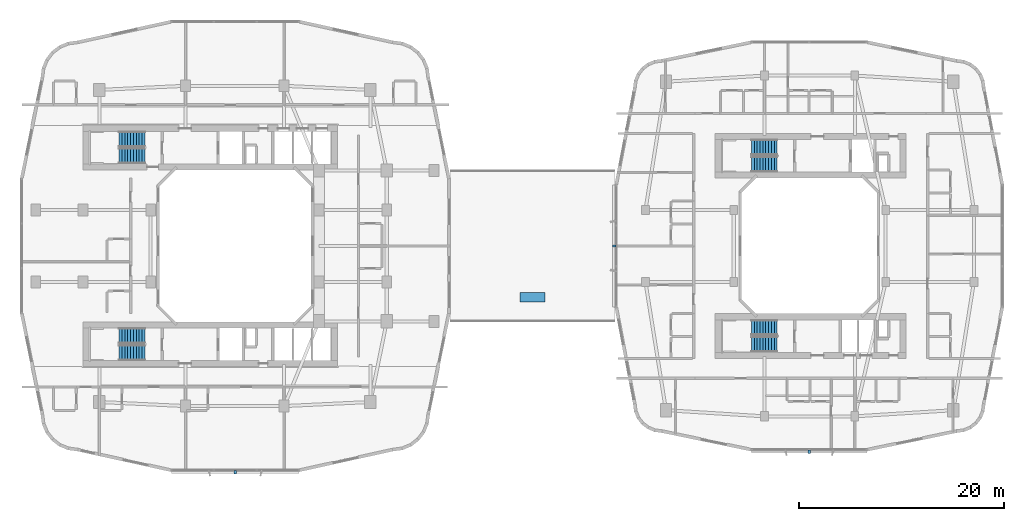
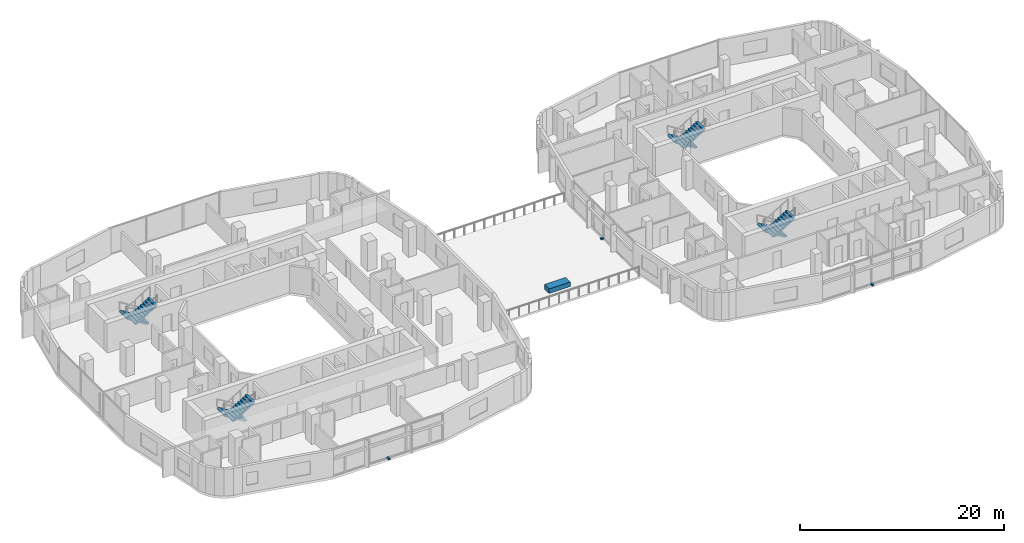
# One storey, part 20 of 25: 8 stair flights, 4 discrete accessories, 4 elements without a shape of their own.
"""IFC4 building model written with IfcOpenShell, lengths in metres."""

from ifc_helpers import new_model, si_unit, derived_unit, direction, frame, origin, origin_2d, place, context, subcontext, project, spatial, polyline, rectangle, outline, extrude, material, type_object, element, aggregate, save


model = new_model("IFC4")

# Units and contexts
model_context = context("Model", 3, precision=1e-05, world=origin(), true_north=direction((0.0, 1.0)))
body_context = subcontext(model_context, "Body", "Model", "MODEL_VIEW")
ifc_project = project(units=[si_unit("LENGTHUNIT", "METRE"), si_unit("AREAUNIT", "SQUARE_METRE"), si_unit("VOLUMEUNIT", "CUBIC_METRE"), si_unit("PLANEANGLEUNIT", "RADIAN"), si_unit("MASSUNIT", "GRAM", prefix="KILO"), derived_unit("THERMALTRANSMITTANCEUNIT", [(si_unit("POWERUNIT", "WATT"), 1), (si_unit("LENGTHUNIT", "METRE"), -2), (si_unit("THERMODYNAMICTEMPERATUREUNIT", "KELVIN"), -1)])], contexts=[model_context])

# Site, building, storey
site_placement = place(None, origin())
site = spatial("IfcSite", under=ifc_project, at=site_placement, CompositionType="ELEMENT")
building_placement = place(site_placement, origin())
building = spatial("IfcBuilding", under=site, at=building_placement, Name="Kivonza Crest Hotel", CompositionType="ELEMENT")
storey_placement = place(building_placement, frame((0.0, 0.0, 24.0)))
storey = spatial("IfcBuildingStorey", under=building, at=storey_placement, Name="L05", CompositionType="ELEMENT", Elevation=24.0)

# Stair, stair flights
ifc_material_1 = material(Name="Concrete C40/50", Category="concrete")
stair_type = type_object("IfcStairType", Name="ST-DL-20R", PredefinedType="HALF_TURN_STAIR", material=ifc_material_1)
stair_1_placement = place(storey_placement, origin())
stair_1 = element("IfcStair", 1, at=stair_1_placement, inside=storey, type_object=stair_type, Name="L05 Protected Exit Stair ST-T1-N", PredefinedType="HALF_TURN_STAIR")
stair_flight_type = type_object("IfcStairFlightType", Name="SFL-RC-10R", PredefinedType="STRAIGHT", material=ifc_material_1)
stair_flight_1_placement = place(storey_placement, frame((12.239990234375, 35.409912109375, 0.0), z_axis=(0.0, 0.0, 1.0), x_axis=(-1.0, 0.0, 0.0)))
stair_flight_1 = element("IfcStairFlight", 2, at=stair_flight_1_placement, type_object=stair_flight_type, Name="ST-T1-N flight 1", NumberOfRisers=10, NumberOfTreads=9, PredefinedType="STRAIGHT", RiserHeight=0.175, TreadLength=0.28, context=body_context, shape_type="SweptSolid", body=[
    extrude(outline(polyline([(0.0, 0.0), (0.0, 0.175048828125), (0.280029296875, 0.175048828125), (0.280029296875, 0.35009765625), (0.56005859375, 0.35009765625), (0.56005859375, 0.52490234375), (0.840087890625, 0.52490234375), (0.840087890625, 0.699951171875), (1.1201171875, 0.699951171875), (1.1201171875, 0.875), (1.39990234375, 0.875), (1.39990234375, 1.050048828125), (1.679931640625, 1.050048828125), (1.679931640625, 1.22509765625), (1.9599609375, 1.22509765625), (1.9599609375, 1.39990234375), (2.239990234375, 1.39990234375), (2.239990234375, 1.574951171875), (2.52001953125, 1.574951171875), (2.52001953125, 1.75), (2.52001953125, 1.398193359375), (0.28271484375, 0.0), (0.0, 0.0)])), frame((0.0, 0.75, 0.0), z_axis=(0.0, -1.0, 0.0), x_axis=(1.0, 0.0, 0.0)), (0.0, 0.0, 1.0), 1.5),
])
stair_flight_2_placement = place(storey_placement, frame((9.719970703125, 33.77001953125, 1.75), z_axis=(0.0, 0.0, 1.0), x_axis=(1.0, 0.0, 0.0)))
stair_flight_2 = element("IfcStairFlight", 3, at=stair_flight_2_placement, type_object=stair_flight_type, Name="ST-T1-N flight 2", NumberOfRisers=10, NumberOfTreads=9, PredefinedType="STRAIGHT", RiserHeight=0.175, TreadLength=0.28, context=body_context, shape_type="SweptSolid", body=[
    extrude(outline(polyline([(0.0, 0.0), (0.0, 0.175048828125), (0.280029296875, 0.175048828125), (0.280029296875, 0.35009765625), (0.56005859375, 0.35009765625), (0.56005859375, 0.52490234375), (0.840087890625, 0.52490234375), (0.840087890625, 0.699951171875), (1.1201171875, 0.699951171875), (1.1201171875, 0.875), (1.39990234375, 0.875), (1.39990234375, 1.050048828125), (1.679931640625, 1.050048828125), (1.679931640625, 1.22509765625), (1.9599609375, 1.22509765625), (1.9599609375, 1.39990234375), (2.239990234375, 1.39990234375), (2.239990234375, 1.574951171875), (2.52001953125, 1.574951171875), (2.52001953125, 1.75), (2.52001953125, 1.398193359375), (0.28271484375, 0.0), (0.0, 0.0)])), frame((0.0, 0.75, 0.0), z_axis=(0.0, -1.0, 0.0), x_axis=(1.0, 0.0, 0.0)), (0.0, 0.0, 1.0), 1.5),
])
aggregate(stair_1, [stair_flight_1, stair_flight_2])

stair_2_placement = place(storey_placement, origin())
stair_2 = element("IfcStair", 4, at=stair_2_placement, inside=storey, type_object=stair_type, Name="L05 Protected Exit Stair ST-T1-S", PredefinedType="HALF_TURN_STAIR")
stair_flight_3_placement = place(storey_placement, frame((12.239990234375, 16.25, 0.0), z_axis=(0.0, 0.0, 1.0), x_axis=(-1.0, 0.0, 0.0)))
stair_flight_3 = element("IfcStairFlight", 5, at=stair_flight_3_placement, type_object=stair_flight_type, Name="ST-T1-S flight 1", NumberOfRisers=10, NumberOfTreads=9, PredefinedType="STRAIGHT", RiserHeight=0.175, TreadLength=0.28, context=body_context, shape_type="SweptSolid", body=[
    extrude(outline(polyline([(0.0, 0.0), (0.0, 0.175048828125), (0.280029296875, 0.175048828125), (0.280029296875, 0.35009765625), (0.56005859375, 0.35009765625), (0.56005859375, 0.52490234375), (0.840087890625, 0.52490234375), (0.840087890625, 0.699951171875), (1.1201171875, 0.699951171875), (1.1201171875, 0.875), (1.39990234375, 0.875), (1.39990234375, 1.050048828125), (1.679931640625, 1.050048828125), (1.679931640625, 1.22509765625), (1.9599609375, 1.22509765625), (1.9599609375, 1.39990234375), (2.239990234375, 1.39990234375), (2.239990234375, 1.574951171875), (2.52001953125, 1.574951171875), (2.52001953125, 1.75), (2.52001953125, 1.398193359375), (0.28271484375, 0.0), (0.0, 0.0)])), frame((0.0, 0.75, 0.0), z_axis=(0.0, -1.0, 0.0), x_axis=(1.0, 0.0, 0.0)), (0.0, 0.0, 1.0), 1.5),
])
stair_flight_4_placement = place(storey_placement, frame((9.719970703125, 14.610107421875, 1.75), z_axis=(0.0, 0.0, 1.0), x_axis=(1.0, 0.0, 0.0)))
stair_flight_4 = element("IfcStairFlight", 6, at=stair_flight_4_placement, type_object=stair_flight_type, Name="ST-T1-S flight 2", NumberOfRisers=10, NumberOfTreads=9, PredefinedType="STRAIGHT", RiserHeight=0.175, TreadLength=0.28, context=body_context, shape_type="SweptSolid", body=[
    extrude(outline(polyline([(0.0, 0.0), (0.0, 0.175048828125), (0.280029296875, 0.175048828125), (0.280029296875, 0.35009765625), (0.56005859375, 0.35009765625), (0.56005859375, 0.52490234375), (0.840087890625, 0.52490234375), (0.840087890625, 0.699951171875), (1.1201171875, 0.699951171875), (1.1201171875, 0.875), (1.39990234375, 0.875), (1.39990234375, 1.050048828125), (1.679931640625, 1.050048828125), (1.679931640625, 1.22509765625), (1.9599609375, 1.22509765625), (1.9599609375, 1.39990234375), (2.239990234375, 1.39990234375), (2.239990234375, 1.574951171875), (2.52001953125, 1.574951171875), (2.52001953125, 1.75), (2.52001953125, 1.398193359375), (0.28271484375, 0.0), (0.0, 0.0)])), frame((0.0, 0.75, 0.0), z_axis=(0.0, -1.0, 0.0), x_axis=(1.0, 0.0, 0.0)), (0.0, 0.0, 1.0), 1.5),
])
aggregate(stair_2, [stair_flight_3, stair_flight_4])

stair_3_placement = place(storey_placement, origin())
stair_3 = element("IfcStair", 7, at=stair_3_placement, inside=storey, type_object=stair_type, Name="L05 Protected Exit Stair ST-T2-N", PredefinedType="HALF_TURN_STAIR")
stair_flight_5_placement = place(storey_placement, frame((73.840087890625, 34.610107421875, 0.0), z_axis=(0.0, 0.0, 1.0), x_axis=(-1.0, 0.0, 0.0)))
stair_flight_5 = element("IfcStairFlight", 8, at=stair_flight_5_placement, type_object=stair_flight_type, Name="ST-T2-N flight 1", NumberOfRisers=10, NumberOfTreads=9, PredefinedType="STRAIGHT", RiserHeight=0.175, TreadLength=0.28, context=body_context, shape_type="SweptSolid", body=[
    extrude(outline(polyline([(0.0, 0.0), (0.0, 0.175048828125), (0.280029296875, 0.175048828125), (0.280029296875, 0.35009765625), (0.56005859375, 0.35009765625), (0.56005859375, 0.52490234375), (0.840087890625, 0.52490234375), (0.840087890625, 0.699951171875), (1.1201171875, 0.699951171875), (1.1201171875, 0.875), (1.39990234375, 0.875), (1.39990234375, 1.050048828125), (1.679931640625, 1.050048828125), (1.679931640625, 1.22509765625), (1.9599609375, 1.22509765625), (1.9599609375, 1.39990234375), (2.239990234375, 1.39990234375), (2.239990234375, 1.574951171875), (2.52001953125, 1.574951171875), (2.52001953125, 1.75), (2.52001953125, 1.398193359375), (0.28271484375, 0.0), (0.0, 0.0)])), frame((0.0, 0.75, 0.0), z_axis=(0.0, -1.0, 0.0), x_axis=(1.0, 0.0, 0.0)), (0.0, 0.0, 1.0), 1.5),
])
stair_flight_6_placement = place(storey_placement, frame((71.320068359375, 32.969970703125, 1.75), z_axis=(0.0, 0.0, 1.0), x_axis=(1.0, 0.0, 0.0)))
stair_flight_6 = element("IfcStairFlight", 9, at=stair_flight_6_placement, type_object=stair_flight_type, Name="ST-T2-N flight 2", NumberOfRisers=10, NumberOfTreads=9, PredefinedType="STRAIGHT", RiserHeight=0.175, TreadLength=0.28, context=body_context, shape_type="SweptSolid", body=[
    extrude(outline(polyline([(0.0, 0.0), (0.0, 0.175048828125), (0.280029296875, 0.175048828125), (0.280029296875, 0.35009765625), (0.56005859375, 0.35009765625), (0.56005859375, 0.52490234375), (0.840087890625, 0.52490234375), (0.840087890625, 0.699951171875), (1.1201171875, 0.699951171875), (1.1201171875, 0.875), (1.39990234375, 0.875), (1.39990234375, 1.050048828125), (1.679931640625, 1.050048828125), (1.679931640625, 1.22509765625), (1.9599609375, 1.22509765625), (1.9599609375, 1.39990234375), (2.239990234375, 1.39990234375), (2.239990234375, 1.574951171875), (2.52001953125, 1.574951171875), (2.52001953125, 1.75), (2.52001953125, 1.398193359375), (0.28271484375, 0.0), (0.0, 0.0)])), frame((0.0, 0.75, 0.0), z_axis=(0.0, -1.0, 0.0), x_axis=(1.0, 0.0, 0.0)), (0.0, 0.0, 1.0), 1.5),
])
aggregate(stair_3, [stair_flight_5, stair_flight_6])

stair_4_placement = place(storey_placement, origin())
stair_4 = element("IfcStair", 10, at=stair_4_placement, inside=storey, type_object=stair_type, Name="L05 Protected Exit Stair ST-T2-S", PredefinedType="HALF_TURN_STAIR")
stair_flight_7_placement = place(storey_placement, frame((73.840087890625, 17.050048828125, 0.0), z_axis=(0.0, 0.0, 1.0), x_axis=(-1.0, 0.0, 0.0)))
stair_flight_7 = element("IfcStairFlight", 11, at=stair_flight_7_placement, type_object=stair_flight_type, Name="ST-T2-S flight 1", NumberOfRisers=10, NumberOfTreads=9, PredefinedType="STRAIGHT", RiserHeight=0.175, TreadLength=0.28, context=body_context, shape_type="SweptSolid", body=[
    extrude(outline(polyline([(0.0, 0.0), (0.0, 0.175048828125), (0.280029296875, 0.175048828125), (0.280029296875, 0.35009765625), (0.56005859375, 0.35009765625), (0.56005859375, 0.52490234375), (0.840087890625, 0.52490234375), (0.840087890625, 0.699951171875), (1.1201171875, 0.699951171875), (1.1201171875, 0.875), (1.39990234375, 0.875), (1.39990234375, 1.050048828125), (1.679931640625, 1.050048828125), (1.679931640625, 1.22509765625), (1.9599609375, 1.22509765625), (1.9599609375, 1.39990234375), (2.239990234375, 1.39990234375), (2.239990234375, 1.574951171875), (2.52001953125, 1.574951171875), (2.52001953125, 1.75), (2.52001953125, 1.398193359375), (0.28271484375, 0.0), (0.0, 0.0)])), frame((0.0, 0.75, 0.0), z_axis=(0.0, -1.0, 0.0), x_axis=(1.0, 0.0, 0.0)), (0.0, 0.0, 1.0), 1.5),
])
stair_flight_8_placement = place(storey_placement, frame((71.320068359375, 15.409912109375, 1.75), z_axis=(0.0, 0.0, 1.0), x_axis=(1.0, 0.0, 0.0)))
stair_flight_8 = element("IfcStairFlight", 12, at=stair_flight_8_placement, type_object=stair_flight_type, Name="ST-T2-S flight 2", NumberOfRisers=10, NumberOfTreads=9, PredefinedType="STRAIGHT", RiserHeight=0.175, TreadLength=0.28, context=body_context, shape_type="SweptSolid", body=[
    extrude(outline(polyline([(0.0, 0.0), (0.0, 0.175048828125), (0.280029296875, 0.175048828125), (0.280029296875, 0.35009765625), (0.56005859375, 0.35009765625), (0.56005859375, 0.52490234375), (0.840087890625, 0.52490234375), (0.840087890625, 0.699951171875), (1.1201171875, 0.699951171875), (1.1201171875, 0.875), (1.39990234375, 0.875), (1.39990234375, 1.050048828125), (1.679931640625, 1.050048828125), (1.679931640625, 1.22509765625), (1.9599609375, 1.22509765625), (1.9599609375, 1.39990234375), (2.239990234375, 1.39990234375), (2.239990234375, 1.574951171875), (2.52001953125, 1.574951171875), (2.52001953125, 1.75), (2.52001953125, 1.398193359375), (0.28271484375, 0.0), (0.0, 0.0)])), frame((0.0, 0.75, 0.0), z_axis=(0.0, -1.0, 0.0), x_axis=(1.0, 0.0, 0.0)), (0.0, 0.0, 1.0), 1.5),
])
aggregate(stair_4, [stair_flight_7, stair_flight_8])

# Discrete accessories
ifc_material_2 = material(Name="Stainless steel 316", Category="steel")
discrete_accessory_type_1 = type_object("IfcDiscreteAccessoryType", Name="AC-BRACKET-240", PredefinedType="BRACKET", material=ifc_material_2)
for number, where, z_axis, x_axis, name in (
    (13, (21.0400390625, 2.9599609375, -0.009765625), (0.0, 0.0, 1.0), (1.0, 0.0, 0.0), "L05 terracotta baguette support bracket CW-T1-L05-08"),
    (14, (76.9599609375, 4.9599609375, -0.009765625), (0.0, 0.0, 1.0), (1.0, 0.0, 0.0), "L05 terracotta baguette support bracket CW-T2-L05-08"),
    (15, (57.9599609375, 25.0, -0.009765625), (0.0, 0.0, 1.0), (0.0, -1.0, 0.0), "L05 terracotta baguette support bracket CW-T2-L05-35"),
):
    element("IfcDiscreteAccessory", number, at=place(storey_placement, frame(where, z_axis=z_axis, x_axis=x_axis)), inside=storey, type_object=discrete_accessory_type_1, Name=name, PredefinedType="BRACKET", context=body_context, shape_type="SweptSolid", body=[
        extrude(rectangle(XDim=0.219970703125, YDim=0.340087890625, at=origin_2d()), origin(), (0.0, 0.0, 1.0), 0.179931640625),
    ])
ifc_material_3 = material(Name="Precast GRC planter with engineered planting soil", Category="concrete")
discrete_accessory_type_2 = type_object("IfcDiscreteAccessoryType", Name="AC-PLANTER-1800", PredefinedType="USERDEFINED", material=ifc_material_3)
discrete_accessory_placement = place(storey_placement, frame((50.0, 20.0, 0.0), z_axis=(0.0, 0.0, 1.0), x_axis=(1.0, 0.0, 0.0)))
element("IfcDiscreteAccessory", 16, at=discrete_accessory_placement, inside=storey, type_object=discrete_accessory_type_2, Name="L05 podium roof garden planter South", ObjectType="PLANTER", PredefinedType="USERDEFINED", context=body_context, shape_type="SweptSolid", body=[
    extrude(rectangle(XDim=2.39990234375, YDim=0.89990234375, at=origin_2d()), origin(), (0.0, 0.0, 1.0), 0.550048828125),
])

save(model, "model.ifc")
